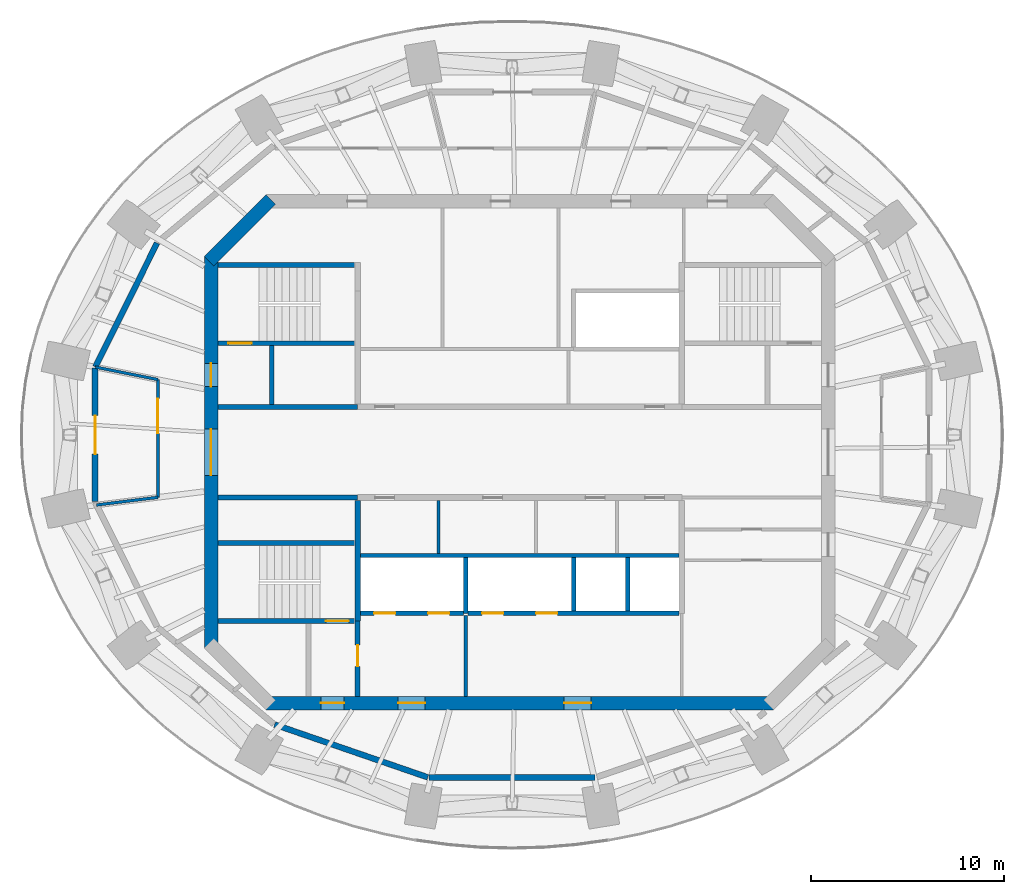
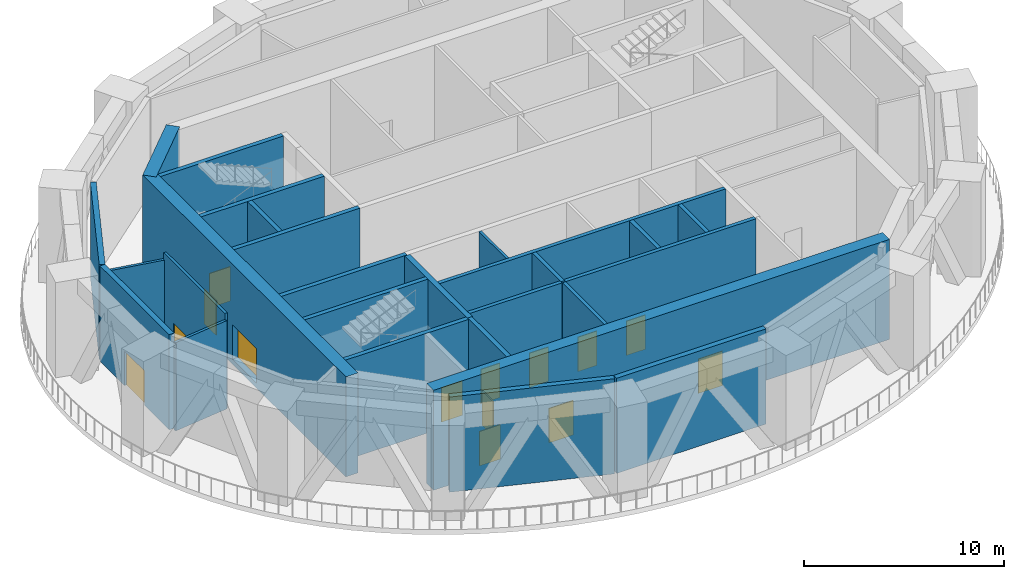
# One storey, part 4 of 9: 27 walls, 14 doors, 14 openings.
"""IFC4 building model written with IfcOpenShell, lengths in metres."""

import ifcopenshell
import ifcopenshell.guid

model = None  # the IFC model being written
_history = None  # IfcOwnerHistory: only IFC2X3 demands one
_inside = {}  # id of a spatial element -> (the spatial element, [elements in it])
_under = {}  # id of a project, library or spatial element -> (it, [spatial elements below it])
_declared = {}  # id of a project -> (the project, [libraries it declares])
_typed = {}  # id of a type object -> (the type object, [elements of that type])
_made_of = {}  # id of a material, layer set ... -> (it, [elements and type objects made of it])


def new_model(schema):
    """Start an empty IFC model of exactly this schema.

    Asked for "IFC4X3", IfcOpenShell would pick the latest addendum, in which some entities
    have other attributes; the version numbers below select the first issue.
    IFC2X3 requires an IfcOwnerHistory on every rooted entity: one is made here for all.
    """
    global model, _history
    if schema == "IFC4X3":
        model = ifcopenshell.file(schema_version=(4, 3, 0, 0))
    else:
        model = ifcopenshell.file(schema=schema)
    _inside.clear()
    _under.clear()
    _declared.clear()
    _typed.clear()
    _made_of.clear()
    _history = None
    if model.schema == "IFC2X3":
        org = make("IfcOrganization", Name="unknown")
        user = make(
            "IfcPersonAndOrganization",
            ThePerson=make("IfcPerson", FamilyName="unknown"),
            TheOrganization=org,
        )
        app = make(
            "IfcApplication",
            ApplicationDeveloper=org,
            Version="unknown",
            ApplicationFullName="unknown",
            ApplicationIdentifier="unknown",
        )
        _history = make(
            "IfcOwnerHistory",
            OwningUser=user,
            OwningApplication=app,
            ChangeAction="ADDED",
            CreationDate=0,
        )
    return model


def make(cls, **values):
    """One entity of the class cls with the attributes given. An attribute that is None is left unset."""
    return model.create_entity(
        cls, **{name: value for name, value in values.items() if value is not None}
    )


def rooted(cls, **values):
    """An entity with a GlobalId (a new one), such as an element, a storey or a relation."""
    return make(cls, GlobalId=ifcopenshell.guid.new(), OwnerHistory=_history, **values)


def si_unit(unit_type, name, prefix=None):
    """IfcSIUnit, for example si_unit("LENGTHUNIT", "METRE", prefix="MILLI")."""
    return make("IfcSIUnit", UnitType=unit_type, Prefix=prefix, Name=name)


def assignment(units):
    """IfcUnitAssignment: the units of a project."""
    return None if units is None else make("IfcUnitAssignment", Units=units)


def point(xyz):
    """IfcCartesianPoint."""
    return None if xyz is None else make("IfcCartesianPoint", Coordinates=xyz)


def direction(xyz):
    """IfcDirection."""
    return None if xyz is None else make("IfcDirection", DirectionRatios=xyz)


def frame(location, z_axis=None, x_axis=None):
    """IfcAxis2Placement3D, a coordinate frame: its origin and axes. An axis left out is left unset."""
    return make(
        "IfcAxis2Placement3D",
        Location=point(location),
        Axis=direction(z_axis),
        RefDirection=direction(x_axis),
    )


def frame_2d(location, x_axis=None):
    """IfcAxis2Placement2D, a coordinate frame in the plane: its origin and x axis."""
    return make(
        "IfcAxis2Placement2D", Location=point(location), RefDirection=direction(x_axis)
    )


def origin():
    """The frame at (0, 0, 0) with its axes left unset."""
    return frame((0.0, 0.0, 0.0))


def place(relative_to, where):
    """IfcLocalPlacement: puts the frame where relative to a parent placement (None: the world)."""
    return make(
        "IfcLocalPlacement", PlacementRelTo=relative_to, RelativePlacement=where
    )


def context(
    kind, dimensions, precision=None, world=None, true_north=None, identifier=None
):
    """IfcGeometricRepresentationContext, for example the 3D "Model" context."""
    return make(
        "IfcGeometricRepresentationContext",
        ContextIdentifier=identifier,
        ContextType=kind,
        CoordinateSpaceDimension=dimensions,
        Precision=precision,
        WorldCoordinateSystem=world,
        TrueNorth=true_north,
    )


def subcontext(parent, identifier, kind, view, scale=None):
    """IfcGeometricRepresentationSubContext, for example "Body" below "Model"."""
    return make(
        "IfcGeometricRepresentationSubContext",
        ContextIdentifier=identifier,
        ContextType=kind,
        ParentContext=parent,
        TargetScale=scale,
        TargetView=view,
    )


def project(units=None, contexts=None):
    """IfcProject with its units and contexts."""
    return rooted(
        "IfcProject",
        Name="project",
        RepresentationContexts=contexts,
        UnitsInContext=assignment(units),
    )


def spatial(cls, under=None, at=None, **own):
    """A site, building, storey or space (cls), placed at a placement, below another one or the project."""
    s = rooted(cls, ObjectPlacement=at, **own)
    if under is not None:
        _under.setdefault(under.id(), (under, []))[1].append(s)
    return s


def profile(cls, at=None, kind="AREA", **sizes):
    """A parametric profile (cls). Its sizes go by their IFC names, for example OverallWidth=200.0."""
    return make(cls, ProfileType=kind, Position=at, **sizes)


def rectangle(**sizes):
    """IfcRectangleProfileDef."""
    return profile("IfcRectangleProfileDef", **sizes)


def extrude(swept, where, along, depth):
    """IfcExtrudedAreaSolid: the profile swept, set in the frame where, extruded along a direction by depth."""
    return make(
        "IfcExtrudedAreaSolid",
        SweptArea=swept,
        Position=where,
        ExtrudedDirection=direction(along),
        Depth=depth,
    )


def shape(context_of_items, identifier, shape_type, items):
    """IfcShapeRepresentation: the items that make up one representation, for example the "Body"."""
    return make(
        "IfcShapeRepresentation",
        ContextOfItems=context_of_items,
        RepresentationIdentifier=identifier,
        RepresentationType=shape_type,
        Items=items,
    )


def material(Name=None, Category=None):
    """IfcMaterial."""
    return make("IfcMaterial", Name=Name, Category=Category)


def layer(
    of_material, thickness, ventilated=None, Name=None, Category=None, Priority=None
):
    """IfcMaterialLayer: one layer of a wall or slab, of a material (None: an air gap)."""
    return make(
        "IfcMaterialLayer",
        Material=of_material,
        LayerThickness=thickness,
        IsVentilated=ventilated,
        Name=Name,
        Category=Category,
        Priority=Priority,
    )


def layer_set(layers, Name=None):
    """IfcMaterialLayerSet."""
    return make("IfcMaterialLayerSet", MaterialLayers=layers, LayerSetName=Name)


def made_of(thing, what):
    """Note that an element or type object is made of a material, layer set ...; save() writes the relation."""
    if what is not None:
        _made_of.setdefault(what.id(), (what, []))[1].append(thing)
    return thing


def type_object(cls, material=None, **own):
    """A type object (cls), such as IfcWallType, which elements share."""
    return made_of(rooted(cls, **own), material)


def element(
    cls,
    number,
    at=None,
    inside=None,
    cuts=None,
    type_object=None,
    material=None,
    context=None,
    identifier="Body",
    shape_type=None,
    held_by="IfcProductDefinitionShape",
    body=None,
    shapes=None,
    **own,
):
    """One element of the class cls, such as IfcWall. Its Tag is "e" and its number.

    at: its placement. inside: the storey or other place that contains it. cuts: it is an
    opening in that element (IfcRelVoidsElement). A single representation is given by context,
    identifier, shape_type and body (its items); several are given by shapes. held_by: the class
    of the entity that holds the representations. save() writes the other relations.
    """
    e = rooted(cls, Tag="e%d" % number, ObjectPlacement=at, **own)
    if body is not None:
        shapes = [shape(context, identifier, shape_type, body)]
    if shapes is not None:
        e.Representation = make(held_by, Representations=shapes)
    if inside is not None:
        _inside.setdefault(inside.id(), (inside, []))[1].append(e)
    if cuts is not None:
        rooted(
            "IfcRelVoidsElement", RelatingBuildingElement=cuts, RelatedOpeningElement=e
        )
    if type_object is not None:
        _typed.setdefault(type_object.id(), (type_object, []))[1].append(e)
    return made_of(e, material)


def fill(opening, filler):
    """IfcRelFillsElement: the door or window that sits in an opening."""
    return rooted(
        "IfcRelFillsElement",
        RelatingOpeningElement=opening,
        RelatedBuildingElement=filler,
    )


def aggregate(whole, parts):
    """IfcRelAggregates: a whole, such as a stair, and the parts it consists of."""
    return rooted("IfcRelAggregates", RelatingObject=whole, RelatedObjects=parts)


def save(model, path):
    """Write the relations noted so far, then the file.

    IfcRelAggregates (storeys below a building ...), IfcRelContainedInSpatialStructure (elements
    in a storey), IfcRelDefinesByType, IfcRelAssociatesMaterial and IfcRelDeclares: one each for
    every whole, place, type object, material and project.
    """
    for whole, parts in _under.values():
        aggregate(whole, parts)
    for where, things in _inside.values():
        rooted(
            "IfcRelContainedInSpatialStructure",
            RelatedElements=things,
            RelatingStructure=where,
        )
    for kind, things in _typed.values():
        rooted("IfcRelDefinesByType", RelatedObjects=things, RelatingType=kind)
    for what, things in _made_of.values():
        rooted("IfcRelAssociatesMaterial", RelatedObjects=things, RelatingMaterial=what)
    for by, libraries in _declared.values():
        rooted("IfcRelDeclares", RelatingContext=by, RelatedDefinitions=libraries)
    model.write(path)


model = new_model("IFC4")

# Units and contexts
model_context = context("Model", 3, precision=1e-05, world=origin(), true_north=direction((0.0, 1.0)))
body_context = subcontext(model_context, "Body", "Model", "MODEL_VIEW")
ifc_project = project(units=[si_unit("LENGTHUNIT", "METRE"), si_unit("AREAUNIT", "SQUARE_METRE"), si_unit("VOLUMEUNIT", "CUBIC_METRE"), si_unit("PLANEANGLEUNIT", "RADIAN"), si_unit("MASSUNIT", "GRAM", prefix="KILO")], contexts=[model_context])

# Site, building, storey
site_placement = place(None, origin())
site = spatial("IfcSite", under=ifc_project, at=site_placement, CompositionType="ELEMENT")
building_placement = place(site_placement, origin())
building = spatial("IfcBuilding", under=site, at=building_placement, Name="Marenthal Gate Tower", CompositionType="ELEMENT")
storey_placement = place(building_placement, frame((0.0, 0.0, 407.550048828125)))
storey = spatial("IfcBuildingStorey", under=building, at=storey_placement, Name="L92", CompositionType="ELEMENT", Elevation=407.550048828125)

# Wall
ifc_material_1 = material(Name="Concrete 60 MPa", Category="concrete")
ifc_layer_1 = layer(ifc_material_1, 0.699951171875)
ifc_layer_set_1 = layer_set([ifc_layer_1], Name="Core shear wall 700")
wall_type_1 = type_object("IfcWallType", Name="Core shear wall 700", PredefinedType="SHEAR", material=ifc_layer_set_1)
wall_1_placement = place(storey_placement, frame((-12.8974609375, 13.1025390625, -0.300048828125), z_axis=(0.0, 0.0, 1.0), x_axis=(-0.707106781187, -0.707106781187, 0.0)))
element("IfcWall", 1, at=wall_1_placement, inside=storey, type_object=wall_type_1, Name="Core wall 05", PredefinedType="SHEAR", context=body_context, shape_type="SweptSolid", body=[
    extrude(rectangle(XDim=4.53271484375, YDim=0.699951171875, at=frame_2d((2.266357421875, 0.0))), origin(), (0.0, 0.0, 1.0), 6.10009765625),
])

# Wall, openings, doors
wall_2_placement = place(storey_placement, frame((-16.0, 10.14501953125, -0.300048828125), z_axis=(0.0, 0.0, 1.0), x_axis=(0.0, -1.0, 0.0)))
wall_2 = element("IfcWall", 2, at=wall_2_placement, inside=storey, type_object=wall_type_1, Name="Core wall 06", PredefinedType="SHEAR", context=body_context, shape_type="SweptSolid", body=[
    extrude(rectangle(XDim=20.2900390625, YDim=0.699951171875, at=frame_2d((10.14501953125, 0.0))), origin(), (0.0, 0.0, 1.0), 6.10009765625),
])
opening_1_placement = place(wall_2_placement, frame((8.945068359375, 0.0, 0.300048828125)))
opening_1 = element("IfcOpeningElement", 3, at=opening_1_placement, cuts=wall_2, Name="Opening D003.01", PredefinedType="OPENING", context=body_context, shape_type="SweptSolid", body=[
    extrude(rectangle(XDim=2.39990234375, YDim=2.10009765625, at=frame_2d((1.199951171875, 1.050048828125))), frame((0.0, 0.35986328125, 0.0), z_axis=(0.0, -1.0, 0.0), x_axis=(1.0, 0.0, 0.0)), (0.0, 0.0, 1.0), 0.719970703125),
])
opening_2_placement = place(wall_2_placement, frame((5.544921875, 0.0, 0.300048828125)))
opening_2 = element("IfcOpeningElement", 4, at=opening_2_placement, cuts=wall_2, Name="Opening D001.04", PredefinedType="OPENING", context=body_context, shape_type="SweptSolid", body=[
    extrude(rectangle(XDim=1.199951171875, YDim=2.10009765625, at=frame_2d((0.60009765625, 1.050048828125))), frame((0.0, 0.35986328125, 0.0), z_axis=(0.0, -1.0, 0.0), x_axis=(1.0, 0.0, 0.0)), (0.0, 0.0, 1.0), 0.719970703125),
])
ifc_material_2 = material(Name="Steel fire door", Category="steel")
door_type_1 = type_object("IfcDoorType", Name="Double fire door FD 45 2400 x 2100", OperationType="DOUBLE_DOOR_SINGLE_SWING", PredefinedType="DOOR", material=ifc_material_2)
door_1_placement = place(opening_1_placement, origin())
door_1 = element("IfcDoor", 5, at=door_1_placement, inside=storey, type_object=door_type_1, Name="Door D003.01", OperationType="DOUBLE_DOOR_SINGLE_SWING", OverallHeight=2.10009765625, OverallWidth=2.39990234375, PredefinedType="DOOR", context=body_context, shape_type="SweptSolid", body=[
    extrude(rectangle(XDim=2.39990234375, YDim=2.10009765625, at=frame_2d((1.199951171875, 1.050048828125))), frame((0.0, 0.02490234375, 0.0), z_axis=(0.0, -1.0, 0.0), x_axis=(1.0, 0.0, 0.0)), (0.0, 0.0, 1.0), 0.050048828125),
])
fill(opening_1, door_1)
ifc_material_3 = material(Name="Steel fire door", Category="steel")
door_type_2 = type_object("IfcDoorType", Name="Fire door FD 90 1200 x 2100", OperationType="NOTDEFINED", PredefinedType="DOOR", material=ifc_material_3)
door_2_placement = place(opening_2_placement, origin())
door_2 = element("IfcDoor", 6, at=door_2_placement, inside=storey, type_object=door_type_2, Name="Door D001.04", OperationType="SINGLE_SWING_RIGHT", OverallHeight=2.10009765625, OverallWidth=1.199951171875, PredefinedType="DOOR", context=body_context, shape_type="SweptSolid", body=[
    extrude(rectangle(XDim=1.199951171875, YDim=2.10009765625, at=frame_2d((0.60009765625, 1.050048828125))), frame((0.0, 0.02490234375, 0.0), z_axis=(0.0, -1.0, 0.0), x_axis=(1.0, 0.0, 0.0)), (0.0, 0.0, 1.0), 0.050048828125),
])
fill(opening_2, door_2)

wall_3_placement = place(storey_placement, frame((-13.14501953125, -13.0, -0.300048828125), z_axis=(0.0, 0.0, 1.0), x_axis=(1.0, 0.0, 0.0)))
wall_3 = element("IfcWall", 7, at=wall_3_placement, inside=storey, type_object=wall_type_1, Name="Core wall 08", PredefinedType="SHEAR", context=body_context, shape_type="SweptSolid", body=[
    extrude(rectangle(XDim=26.2900390625, YDim=0.699951171875, at=frame_2d((13.14501953125, 0.0))), origin(), (0.0, 0.0, 1.0), 6.10009765625),
])
opening_3_placement = place(wall_3_placement, frame((2.844970703125, 0.0, 0.300048828125)))
opening_3 = element("IfcOpeningElement", 8, at=opening_3_placement, cuts=wall_3, Name="Opening D001.06", PredefinedType="OPENING", context=body_context, shape_type="SweptSolid", body=[
    extrude(rectangle(XDim=1.199951171875, YDim=2.10009765625, at=frame_2d((0.60009765625, 1.050048828125))), frame((0.0, 0.35986328125, 0.0), z_axis=(0.0, -1.0, 0.0), x_axis=(1.0, 0.0, 0.0)), (0.0, 0.0, 1.0), 0.719970703125),
])
opening_4_placement = place(wall_3_placement, frame((6.844970703125, 0.0, 0.300048828125)))
opening_4 = element("IfcOpeningElement", 9, at=opening_4_placement, cuts=wall_3, Name="Opening D004.01", PredefinedType="OPENING", context=body_context, shape_type="SweptSolid", body=[
    extrude(rectangle(XDim=1.39990234375, YDim=2.10009765625, at=frame_2d((0.699951171875, 1.050048828125))), frame((0.0, 0.35986328125, 0.0), z_axis=(0.0, -1.0, 0.0), x_axis=(1.0, 0.0, 0.0)), (0.0, 0.0, 1.0), 0.719970703125),
])
opening_5_placement = place(wall_3_placement, frame((15.445068359375, 0.0, 0.300048828125)))
opening_5 = element("IfcOpeningElement", 10, at=opening_5_placement, cuts=wall_3, Name="Opening D004.02", PredefinedType="OPENING", context=body_context, shape_type="SweptSolid", body=[
    extrude(rectangle(XDim=1.39990234375, YDim=2.10009765625, at=frame_2d((0.699951171875, 1.050048828125))), frame((0.0, 0.35986328125, 0.0), z_axis=(0.0, -1.0, 0.0), x_axis=(1.0, 0.0, 0.0)), (0.0, 0.0, 1.0), 0.719970703125),
])
ifc_material_4 = material(Name="Steel fire door", Category="steel")
door_type_3 = type_object("IfcDoorType", Name="Fire door FD 45 1400 x 2100", OperationType="NOTDEFINED", PredefinedType="DOOR", material=ifc_material_4)
door_3_placement = place(opening_4_placement, origin())
door_3 = element("IfcDoor", 11, at=door_3_placement, inside=storey, type_object=door_type_3, Name="Door D004.01", OperationType="SINGLE_SWING_RIGHT", OverallHeight=2.10009765625, OverallWidth=1.39990234375, PredefinedType="DOOR", context=body_context, shape_type="SweptSolid", body=[
    extrude(rectangle(XDim=1.39990234375, YDim=2.10009765625, at=frame_2d((0.699951171875, 1.050048828125))), frame((0.0, 0.02490234375, 0.0), z_axis=(0.0, -1.0, 0.0), x_axis=(1.0, 0.0, 0.0)), (0.0, 0.0, 1.0), 0.050048828125),
])
fill(opening_4, door_3)
door_4_placement = place(opening_5_placement, origin())
door_4 = element("IfcDoor", 12, at=door_4_placement, inside=storey, type_object=door_type_3, Name="Door D004.02", OperationType="SINGLE_SWING_RIGHT", OverallHeight=2.10009765625, OverallWidth=1.39990234375, PredefinedType="DOOR", context=body_context, shape_type="SweptSolid", body=[
    extrude(rectangle(XDim=1.39990234375, YDim=2.10009765625, at=frame_2d((0.699951171875, 1.050048828125))), frame((0.0, 0.02490234375, 0.0), z_axis=(0.0, -1.0, 0.0), x_axis=(1.0, 0.0, 0.0)), (0.0, 0.0, 1.0), 0.050048828125),
])
fill(opening_5, door_4)
door_5_placement = place(opening_3_placement, origin())
door_5 = element("IfcDoor", 13, at=door_5_placement, inside=storey, type_object=door_type_2, Name="Door D001.06", OperationType="SINGLE_SWING_RIGHT", OverallHeight=2.10009765625, OverallWidth=1.199951171875, PredefinedType="DOOR", context=body_context, shape_type="SweptSolid", body=[
    extrude(rectangle(XDim=1.199951171875, YDim=2.10009765625, at=frame_2d((0.60009765625, 1.050048828125))), frame((0.0, 0.02490234375, 0.0), z_axis=(0.0, -1.0, 0.0), x_axis=(1.0, 0.0, 0.0)), (0.0, 0.0, 1.0), 0.050048828125),
])
fill(opening_3, door_5)

# Wall, opening, door
ifc_material_5 = material(Name="Concrete 40 MPa", Category="concrete")
ifc_layer_2 = layer(ifc_material_5, 0.300048828125)
ifc_layer_set_2 = layer_set([ifc_layer_2], Name="External wall 300")
wall_type_2 = type_object("IfcWallType", Name="External wall 300", PredefinedType="STANDARD", material=ifc_layer_set_2)
wall_4_placement = place(storey_placement, frame((-22.00927734375, -2.550537109375, 0.0), z_axis=(0.0, 0.0, 1.0), x_axis=(0.0, 1.0, 0.0)))
wall_4 = element("IfcWall", 14, at=wall_4_placement, inside=storey, type_object=wall_type_2, Name="External wall 57", PredefinedType="STANDARD", context=body_context, shape_type="SweptSolid", body=[
    extrude(rectangle(XDim=6.901123046875, YDim=0.300048828125, at=frame_2d((3.45068359375, 0.0))), origin(), (0.0, 0.0, 1.0), 5.800048828125),
])
opening_6_placement = place(wall_4_placement, frame((2.450439453125, 0.0, 0.0)))
opening_6 = element("IfcOpeningElement", 15, at=opening_6_placement, cuts=wall_4, Name="Opening D018.03", PredefinedType="OPENING", context=body_context, shape_type="SweptSolid", body=[
    extrude(rectangle(XDim=2.0, YDim=2.10009765625, at=frame_2d((1.0, 1.050048828125))), frame((0.0, 0.16015625, 0.0), z_axis=(0.0, -1.0, 0.0), x_axis=(1.0, 0.0, 0.0)), (0.0, 0.0, 1.0), 0.320068359375),
])
ifc_material_6 = material(Name="Steel fire door", Category="steel")
door_type_4 = type_object("IfcDoorType", Name="Double fire door FD 45 2000 x 2100", OperationType="DOUBLE_DOOR_SINGLE_SWING", PredefinedType="DOOR", material=ifc_material_6)
door_6_placement = place(opening_6_placement, origin())
door_6 = element("IfcDoor", 16, at=door_6_placement, inside=storey, type_object=door_type_4, Name="Door D018.03", OperationType="DOUBLE_DOOR_SINGLE_SWING", OverallHeight=2.10009765625, OverallWidth=2.0, PredefinedType="DOOR", context=body_context, shape_type="SweptSolid", body=[
    extrude(rectangle(XDim=2.0, YDim=2.10009765625, at=frame_2d((1.0, 1.050048828125))), frame((0.0, 0.02490234375, 0.0), z_axis=(0.0, -1.0, 0.0), x_axis=(1.0, 0.0, 0.0)), (0.0, 0.0, 1.0), 0.050048828125),
])
fill(opening_6, door_6)

# Walls
wall_5_placement = place(storey_placement, frame((-4.714111328125, -16.861572265625, 0.0), z_axis=(0.0, 0.0, 1.0), x_axis=(1.0, 0.0, 0.0)))
element("IfcWall", 17, at=wall_5_placement, inside=storey, type_object=wall_type_2, Name="External wall 59", PredefinedType="STANDARD", context=body_context, shape_type="SweptSolid", body=[
    extrude(rectangle(XDim=8.628173828125, YDim=0.300048828125, at=frame_2d((4.31396484375, 0.0))), origin(), (0.0, 0.0, 1.0), 5.800048828125),
])
wall_6_placement = place(storey_placement, frame((-21.993408203125, 4.41748046875, 0.0), z_axis=(0.0, 0.0, 1.0), x_axis=(0.445648754576, 0.895207901856, 0.0)))
element("IfcWall", 18, at=wall_6_placement, inside=storey, type_object=wall_type_2, Name="External wall 65", PredefinedType="STANDARD", context=body_context, shape_type="SweptSolid", body=[
    extrude(rectangle(XDim=7.179931640625, YDim=0.300048828125, at=frame_2d((3.58984375, 0.0))), origin(), (0.0, 0.0, 1.0), 5.800048828125),
])
wall_7_placement = place(storey_placement, frame((-4.762939453125, -16.853515625, 0.0), z_axis=(0.0, 0.0, 1.0), x_axis=(-0.945415916935, 0.325866144309, 0.0)))
element("IfcWall", 19, at=wall_7_placement, inside=storey, type_object=wall_type_2, Name="External wall 72", PredefinedType="STANDARD", context=body_context, shape_type="SweptSolid", body=[
    extrude(rectangle(XDim=8.39794921875, YDim=0.300048828125, at=frame_2d((4.198974609375, 0.0))), origin(), (0.0, 0.0, 1.0), 5.800048828125),
])
ifc_material_7 = material(Name="Gypsum board on steel studs", Category="steel")
ifc_layer_3 = layer(ifc_material_7, 0.199951171875)
ifc_layer_set_3 = layer_set([ifc_layer_3], Name="Fire lobby wall 200")
wall_type_3 = type_object("IfcWallType", Name="Fire lobby wall 200", PredefinedType="PARTITIONING", material=ifc_layer_set_3)
wall_8_placement = place(storey_placement, frame((-2.800048828125, -12.64990234375, 0.0), z_axis=(0.0, 0.0, 1.0), x_axis=(0.0, 1.0, 0.0)))
element("IfcWall", 20, at=wall_8_placement, inside=storey, type_object=wall_type_3, Name="Fire wall 37", PredefinedType="PARTITIONING", context=body_context, shape_type="SweptSolid", body=[
    extrude(rectangle(XDim=4.18994140625, YDim=0.199951171875, at=frame_2d((2.094970703125, 0.0))), origin(), (0.0, 0.0, 1.0), 5.800048828125),
])
ifc_material_8 = material(Name="Concrete 50 MPa", Category="concrete")
ifc_layer_4 = layer(ifc_material_8, 0.300048828125)
ifc_layer_set_4 = layer_set([ifc_layer_4], Name="Hoistway shear wall 300")
wall_type_4 = type_object("IfcWallType", Name="Hoistway shear wall 300", PredefinedType="SHEAR", material=ifc_layer_set_4)
wall_9_placement = place(storey_placement, frame((-8.39990234375, -8.75, -0.300048828125), z_axis=(0.0, 0.0, 1.0), x_axis=(0.0, 1.0, 0.0)))
element("IfcWall", 21, at=wall_9_placement, inside=storey, type_object=wall_type_4, Name="Hoistway wall 32", PredefinedType="SHEAR", context=body_context, shape_type="SweptSolid", body=[
    extrude(rectangle(XDim=6.25, YDim=0.300048828125, at=frame_2d((3.125, 0.0))), origin(), (0.0, 0.0, 1.0), 6.10009765625),
])

# Wall, openings, doors
ifc_material_9 = material(Name="Concrete 40 MPa", Category="concrete")
ifc_layer_5 = layer(ifc_material_9, 0.219970703125)
ifc_layer_set_5 = layer_set([ifc_layer_5], Name="Hoistway wall 220")
wall_type_5 = type_object("IfcWallType", Name="Hoistway wall 220", PredefinedType="STANDARD", material=ifc_layer_set_5)
wall_10_placement = place(storey_placement, frame((-8.25, -8.35009765625, 0.0), z_axis=(0.0, 0.0, 1.0), x_axis=(1.0, 0.0, 0.0)))
wall_10 = element("IfcWall", 22, at=wall_10_placement, inside=storey, type_object=wall_type_5, Name="Hoistway wall 10", PredefinedType="STANDARD", context=body_context, shape_type="SweptSolid", body=[
    extrude(rectangle(XDim=5.340087890625, YDim=0.219970703125, at=frame_2d((2.669921875, 0.0))), origin(), (0.0, 0.0, 1.0), 5.800048828125),
])
opening_7_placement = place(wall_10_placement, frame((0.699951171875, 0.0, 0.0)))
opening_7 = element("IfcOpeningElement", 23, at=opening_7_placement, cuts=wall_10, Name="Opening LD-LF1", PredefinedType="OPENING", context=body_context, shape_type="SweptSolid", body=[
    extrude(rectangle(XDim=1.10009765625, YDim=2.10009765625, at=frame_2d((0.550048828125, 1.050048828125))), frame((0.0, 0.1201171875, 0.0), z_axis=(0.0, -1.0, 0.0), x_axis=(1.0, 0.0, 0.0)), (0.0, 0.0, 1.0), 0.239990234375),
])
opening_8_placement = place(wall_10_placement, frame((3.5, 0.0, 0.0)))
opening_8 = element("IfcOpeningElement", 24, at=opening_8_placement, cuts=wall_10, Name="Opening LD-LF2", PredefinedType="OPENING", context=body_context, shape_type="SweptSolid", body=[
    extrude(rectangle(XDim=1.10009765625, YDim=2.10009765625, at=frame_2d((0.550048828125, 1.050048828125))), frame((0.0, 0.1201171875, 0.0), z_axis=(0.0, -1.0, 0.0), x_axis=(1.0, 0.0, 0.0)), (0.0, 0.0, 1.0), 0.239990234375),
])
ifc_material_10 = material(Name="Stainless steel sliding door", Category="steel")
door_type_5 = type_object("IfcDoorType", Name="Lift landing door FD 90 1100 x 2100", OperationType="DOUBLE_DOOR_SLIDING", PredefinedType="DOOR", material=ifc_material_10)
door_7_placement = place(opening_7_placement, origin())
door_7 = element("IfcDoor", 25, at=door_7_placement, inside=storey, type_object=door_type_5, Name="Lift landing door LF1", OperationType="DOUBLE_DOOR_SLIDING", OverallHeight=2.10009765625, OverallWidth=1.10009765625, PredefinedType="DOOR", context=body_context, shape_type="SweptSolid", body=[
    extrude(rectangle(XDim=1.10009765625, YDim=2.10009765625, at=frame_2d((0.550048828125, 1.050048828125))), frame((0.0, 0.02490234375, 0.0), z_axis=(0.0, -1.0, 0.0), x_axis=(1.0, 0.0, 0.0)), (0.0, 0.0, 1.0), 0.050048828125),
])
fill(opening_7, door_7)
door_8_placement = place(opening_8_placement, origin())
door_8 = element("IfcDoor", 26, at=door_8_placement, inside=storey, type_object=door_type_5, Name="Lift landing door LF2", OperationType="DOUBLE_DOOR_SLIDING", OverallHeight=2.10009765625, OverallWidth=1.10009765625, PredefinedType="DOOR", context=body_context, shape_type="SweptSolid", body=[
    extrude(rectangle(XDim=1.10009765625, YDim=2.10009765625, at=frame_2d((0.550048828125, 1.050048828125))), frame((0.0, 0.02490234375, 0.0), z_axis=(0.0, -1.0, 0.0), x_axis=(1.0, 0.0, 0.0)), (0.0, 0.0, 1.0), 0.050048828125),
])
fill(opening_8, door_8)

wall_11_placement = place(storey_placement, frame((-2.68994140625, -8.35009765625, 0.0), z_axis=(0.0, 0.0, 1.0), x_axis=(1.0, 0.0, 0.0)))
wall_11 = element("IfcWall", 27, at=wall_11_placement, inside=storey, type_object=wall_type_5, Name="Hoistway wall 11", PredefinedType="STANDARD", context=body_context, shape_type="SweptSolid", body=[
    extrude(rectangle(XDim=10.93994140625, YDim=0.219970703125, at=frame_2d((5.469970703125, 0.0))), origin(), (0.0, 0.0, 1.0), 5.800048828125),
])
opening_9_placement = place(wall_11_placement, frame((0.739990234375, 0.0, 0.0)))
opening_9 = element("IfcOpeningElement", 28, at=opening_9_placement, cuts=wall_11, Name="Opening LD-SV1", PredefinedType="OPENING", context=body_context, shape_type="SweptSolid", body=[
    extrude(rectangle(XDim=1.10009765625, YDim=2.10009765625, at=frame_2d((0.550048828125, 1.050048828125))), frame((0.0, 0.1201171875, 0.0), z_axis=(0.0, -1.0, 0.0), x_axis=(1.0, 0.0, 0.0)), (0.0, 0.0, 1.0), 0.239990234375),
])
opening_10_placement = place(wall_11_placement, frame((3.5400390625, 0.0, 0.0)))
opening_10 = element("IfcOpeningElement", 29, at=opening_10_placement, cuts=wall_11, Name="Opening LD-SV2", PredefinedType="OPENING", context=body_context, shape_type="SweptSolid", body=[
    extrude(rectangle(XDim=1.10009765625, YDim=2.10009765625, at=frame_2d((0.550048828125, 1.050048828125))), frame((0.0, 0.1201171875, 0.0), z_axis=(0.0, -1.0, 0.0), x_axis=(1.0, 0.0, 0.0)), (0.0, 0.0, 1.0), 0.239990234375),
])
door_9_placement = place(opening_9_placement, origin())
door_9 = element("IfcDoor", 30, at=door_9_placement, inside=storey, type_object=door_type_5, Name="Lift landing door SV1", OperationType="DOUBLE_DOOR_SLIDING", OverallHeight=2.10009765625, OverallWidth=1.10009765625, PredefinedType="DOOR", context=body_context, shape_type="SweptSolid", body=[
    extrude(rectangle(XDim=1.10009765625, YDim=2.10009765625, at=frame_2d((0.550048828125, 1.050048828125))), frame((0.0, 0.02490234375, 0.0), z_axis=(0.0, -1.0, 0.0), x_axis=(1.0, 0.0, 0.0)), (0.0, 0.0, 1.0), 0.050048828125),
])
fill(opening_9, door_9)
door_10_placement = place(opening_10_placement, origin())
door_10 = element("IfcDoor", 31, at=door_10_placement, inside=storey, type_object=door_type_5, Name="Lift landing door SV2", OperationType="DOUBLE_DOOR_SLIDING", OverallHeight=2.10009765625, OverallWidth=1.10009765625, PredefinedType="DOOR", context=body_context, shape_type="SweptSolid", body=[
    extrude(rectangle(XDim=1.10009765625, YDim=2.10009765625, at=frame_2d((0.550048828125, 1.050048828125))), frame((0.0, 0.02490234375, 0.0), z_axis=(0.0, -1.0, 0.0), x_axis=(1.0, 0.0, 0.0)), (0.0, 0.0, 1.0), 0.050048828125),
])
fill(opening_10, door_10)

# Walls
wall_12_placement = place(storey_placement, frame((-8.25, -5.35009765625, 0.0), z_axis=(0.0, 0.0, 1.0), x_axis=(1.0, 0.0, 0.0)))
element("IfcWall", 32, at=wall_12_placement, inside=storey, type_object=wall_type_5, Name="Hoistway wall 13", PredefinedType="STANDARD", context=body_context, shape_type="SweptSolid", body=[
    extrude(rectangle(XDim=16.5, YDim=0.219970703125, at=frame_2d((8.25, 0.0))), origin(), (0.0, 0.0, 1.0), 5.800048828125),
])
wall_13_placement = place(storey_placement, frame((-2.800048828125, -8.35009765625, 0.0), z_axis=(0.0, 0.0, 1.0), x_axis=(0.0, 1.0, 0.0)))
element("IfcWall", 33, at=wall_13_placement, inside=storey, type_object=wall_type_5, Name="Hoistway wall 38", PredefinedType="STANDARD", context=body_context, shape_type="SweptSolid", body=[
    extrude(rectangle(XDim=2.89013671875, YDim=0.219970703125, at=frame_2d((1.445068359375, 0.0))), origin(), (0.0, 0.0, 1.0), 5.800048828125),
])
for number, where, z_axis, x_axis, name in (
    (34, (2.800048828125, -8.239990234375, 0.0), (0.0, 0.0, 1.0), (0.0, 1.0, 0.0), "Hoistway wall 42"),
    (35, (5.60009765625, -8.239990234375, 0.0), (0.0, 0.0, 1.0), (0.0, 1.0, 0.0), "Hoistway wall 45"),
):
    element("IfcWall", number, at=place(storey_placement, frame(where, z_axis=z_axis, x_axis=x_axis)), inside=storey, type_object=wall_type_5, Name=name, PredefinedType="STANDARD", context=body_context, shape_type="SweptSolid", body=[
        extrude(rectangle(XDim=2.780029296875, YDim=0.219970703125, at=frame_2d((1.39013671875, 0.0))), origin(), (0.0, 0.0, 1.0), 5.800048828125),
    ])
ifc_material_11 = material(Name="Gypsum board on steel studs", Category="steel")
ifc_layer_6 = layer(ifc_material_11, 0.14990234375)
ifc_layer_set_6 = layer_set([ifc_layer_6], Name="Partition 150")
wall_type_6 = type_object("IfcWallType", Name="Partition 150", PredefinedType="PARTITIONING", material=ifc_layer_set_6)
wall_14_placement = place(storey_placement, frame((-4.199951171875, -5.239990234375, 0.0), z_axis=(0.0, 0.0, 1.0), x_axis=(0.0, 1.0, 0.0)))
element("IfcWall", 36, at=wall_14_placement, inside=storey, type_object=wall_type_6, Name="Partition wall 35", PredefinedType="PARTITIONING", context=body_context, shape_type="SweptSolid", body=[
    extrude(rectangle(XDim=2.739990234375, YDim=0.14990234375, at=frame_2d((1.3701171875, 0.0))), origin(), (0.0, 0.0, 1.0), 5.800048828125),
])
wall_15_placement = place(storey_placement, frame((-21.933837890625, -2.737060546875, 0.0), z_axis=(0.0, 0.0, 1.0), x_axis=(0.992307114991, 0.123800603948, 0.0)))
element("IfcWall", 37, at=wall_15_placement, inside=storey, type_object=wall_type_6, Name="Partition wall 74", PredefinedType="PARTITIONING", context=body_context, shape_type="SweptSolid", body=[
    extrude(rectangle(XDim=3.20849609375, YDim=0.14990234375, at=frame_2d((1.604248046875, 0.0))), origin(), (0.0, 0.0, 1.0), 5.383056640625),
])

# Wall, opening, door
wall_16_placement = place(storey_placement, frame((-18.75, -2.33984375, 0.0), z_axis=(0.0, 0.0, 1.0), x_axis=(0.0, 1.0, 0.0)))
wall_16 = element("IfcWall", 38, at=wall_16_placement, inside=storey, type_object=wall_type_6, Name="Partition wall 78", PredefinedType="PARTITIONING", context=body_context, shape_type="SweptSolid", body=[
    extrude(rectangle(XDim=6.10107421875, YDim=0.14990234375, at=frame_2d((3.050537109375, 0.0))), origin(), (0.0, 0.0, 1.0), 5.800048828125),
])
opening_11_placement = place(wall_16_placement, frame((3.31787109375, 0.0, 0.0)))
opening_11 = element("IfcOpeningElement", 39, at=opening_11_placement, cuts=wall_16, Name="Opening D007.03", PredefinedType="OPENING", context=body_context, shape_type="SweptSolid", body=[
    extrude(rectangle(XDim=1.800048828125, YDim=2.10009765625, at=frame_2d((0.89990234375, 1.050048828125))), frame((0.0, 0.0849609375, 0.0), z_axis=(0.0, -1.0, 0.0), x_axis=(1.0, 0.0, 0.0)), (0.0, 0.0, 1.0), 0.169921875),
])
ifc_material_12 = material(Name="Steel fire door", Category="steel")
door_type_6 = type_object("IfcDoorType", Name="Double fire door FD 45 1800 x 2100", OperationType="DOUBLE_DOOR_SINGLE_SWING", PredefinedType="DOOR", material=ifc_material_12)
door_11_placement = place(opening_11_placement, origin())
door_11 = element("IfcDoor", 40, at=door_11_placement, inside=storey, type_object=door_type_6, Name="Door D007.03", OperationType="DOUBLE_DOOR_SINGLE_SWING", OverallHeight=2.10009765625, OverallWidth=1.800048828125, PredefinedType="DOOR", context=body_context, shape_type="SweptSolid", body=[
    extrude(rectangle(XDim=1.800048828125, YDim=2.10009765625, at=frame_2d((0.89990234375, 1.050048828125))), frame((0.0, 0.02490234375, 0.0), z_axis=(0.0, -1.0, 0.0), x_axis=(1.0, 0.0, 0.0)), (0.0, 0.0, 1.0), 0.050048828125),
])
fill(opening_11, door_11)

# Walls
wall_17_placement = place(storey_placement, frame((-18.75, 3.76123046875, 0.0), z_axis=(0.0, 0.0, 1.0), x_axis=(-0.980469907143, 0.196669166843, 0.0)))
element("IfcWall", 41, at=wall_17_placement, inside=storey, type_object=wall_type_6, Name="Partition wall 80", PredefinedType="PARTITIONING", context=body_context, shape_type="SweptSolid", body=[
    extrude(rectangle(XDim=3.310791015625, YDim=0.14990234375, at=frame_2d((1.6552734375, 0.0))), origin(), (0.0, 0.0, 1.0), 5.383056640625),
])
ifc_material_13 = material(Name="Concrete 40 MPa", Category="concrete")
ifc_layer_7 = layer(ifc_material_13, 0.25)
ifc_layer_set_7 = layer_set([ifc_layer_7], Name="Stair enclosure wall 250")
wall_type_7 = type_object("IfcWallType", Name="Stair enclosure wall 250", PredefinedType="STANDARD", material=ifc_layer_set_7)
for number, where, z_axis, x_axis, name in (
    (42, (-15.64990234375, -2.35009765625, 0.0), (0.0, 0.0, 1.0), (1.0, 0.0, 0.0), "Stair wall 16"),
    (43, (-15.64990234375, 2.35009765625, 0.0), (0.0, 0.0, 1.0), (1.0, 0.0, 0.0), "Stair wall 19"),
):
    element("IfcWall", number, at=place(storey_placement, frame(where, z_axis=z_axis, x_axis=x_axis)), inside=storey, type_object=wall_type_7, Name=name, PredefinedType="STANDARD", context=body_context, shape_type="SweptSolid", body=[
        extrude(rectangle(XDim=7.25, YDim=0.25, at=frame_2d((3.625, 0.0))), origin(), (0.0, 0.0, 1.0), 5.800048828125),
    ])
wall_18_placement = place(storey_placement, frame((-12.85009765625, 2.47509765625, 0.0), z_axis=(0.0, 0.0, 1.0), x_axis=(0.0, 1.0, 0.0)))
element("IfcWall", 44, at=wall_18_placement, inside=storey, type_object=wall_type_7, Name="Stair wall 29", PredefinedType="STANDARD", context=body_context, shape_type="SweptSolid", body=[
    extrude(rectangle(XDim=3.0498046875, YDim=0.25, at=frame_2d((1.52490234375, 0.0))), origin(), (0.0, 0.0, 1.0), 5.800048828125),
])

# Wall, opening, door
wall_19_placement = place(storey_placement, frame((-8.39990234375, -12.64990234375, 0.0), z_axis=(0.0, 0.0, 1.0), x_axis=(0.0, 1.0, 0.0)))
wall_19 = element("IfcWall", 45, at=wall_19_placement, inside=storey, type_object=wall_type_7, Name="Stair wall 31", PredefinedType="STANDARD", context=body_context, shape_type="SweptSolid", body=[
    extrude(rectangle(XDim=3.89990234375, YDim=0.25, at=frame_2d((1.949951171875, 0.0))), origin(), (0.0, 0.0, 1.0), 5.800048828125),
])
opening_12_placement = place(wall_19_placement, frame((1.550048828125, 0.0, 0.0)))
opening_12 = element("IfcOpeningElement", 46, at=opening_12_placement, cuts=wall_19, Name="Opening D002.01", PredefinedType="OPENING", context=body_context, shape_type="SweptSolid", body=[
    extrude(rectangle(XDim=1.10009765625, YDim=2.10009765625, at=frame_2d((0.550048828125, 1.050048828125))), frame((0.0, 0.135009765625, 0.0), z_axis=(0.0, -1.0, 0.0), x_axis=(1.0, 0.0, 0.0)), (0.0, 0.0, 1.0), 0.27001953125),
])
ifc_material_14 = material(Name="Steel fire door", Category="steel")
door_type_7 = type_object("IfcDoorType", Name="Fire door FD 90 1100 x 2100", OperationType="NOTDEFINED", PredefinedType="DOOR", material=ifc_material_14)
door_12_placement = place(opening_12_placement, origin())
door_12 = element("IfcDoor", 47, at=door_12_placement, inside=storey, type_object=door_type_7, Name="Door D002.01", OperationType="SINGLE_SWING_RIGHT", OverallHeight=2.10009765625, OverallWidth=1.10009765625, PredefinedType="DOOR", context=body_context, shape_type="SweptSolid", body=[
    extrude(rectangle(XDim=1.10009765625, YDim=2.10009765625, at=frame_2d((0.550048828125, 1.050048828125))), frame((0.0, 0.02490234375, 0.0), z_axis=(0.0, -1.0, 0.0), x_axis=(1.0, 0.0, 0.0)), (0.0, 0.0, 1.0), 0.050048828125),
])
fill(opening_12, door_12)

ifc_material_15 = material(Name="Concrete 50 MPa", Category="concrete")
ifc_layer_8 = layer(ifc_material_15, 0.25)
ifc_layer_set_8 = layer_set([ifc_layer_8], Name="Stair shear wall 250")
wall_type_8 = type_object("IfcWallType", Name="Stair shear wall 250", PredefinedType="SHEAR", material=ifc_layer_set_8)
wall_20_placement = place(storey_placement, frame((-15.64990234375, -8.75, -0.300048828125), z_axis=(0.0, 0.0, 1.0), x_axis=(1.0, 0.0, 0.0)))
wall_20 = element("IfcWall", 48, at=wall_20_placement, inside=storey, type_object=wall_type_8, Name="Stair wall 09", PredefinedType="SHEAR", context=body_context, shape_type="SweptSolid", body=[
    extrude(rectangle(XDim=7.099853515625, YDim=0.25, at=frame_2d((3.5498046875, 0.0))), origin(), (0.0, 0.0, 1.0), 6.10009765625),
])
opening_13_placement = place(wall_20_placement, frame((5.60009765625, 0.0, 0.300048828125)))
opening_13 = element("IfcOpeningElement", 49, at=opening_13_placement, cuts=wall_20, Name="Opening D001.03", PredefinedType="OPENING", context=body_context, shape_type="SweptSolid", body=[
    extrude(rectangle(XDim=1.199951171875, YDim=2.10009765625, at=frame_2d((0.60009765625, 1.050048828125))), frame((0.0, 0.135009765625, 0.0), z_axis=(0.0, -1.0, 0.0), x_axis=(1.0, 0.0, 0.0)), (0.0, 0.0, 1.0), 0.27001953125),
])
door_13_placement = place(opening_13_placement, origin())
door_13 = element("IfcDoor", 50, at=door_13_placement, inside=storey, type_object=door_type_2, Name="Door D001.03", OperationType="SINGLE_SWING_RIGHT", OverallHeight=2.10009765625, OverallWidth=1.199951171875, PredefinedType="DOOR", context=body_context, shape_type="SweptSolid", body=[
    extrude(rectangle(XDim=1.199951171875, YDim=2.10009765625, at=frame_2d((0.60009765625, 1.050048828125))), frame((0.0, 0.02490234375, 0.0), z_axis=(0.0, -1.0, 0.0), x_axis=(1.0, 0.0, 0.0)), (0.0, 0.0, 1.0), 0.050048828125),
])
fill(opening_13, door_13)

# Wall
wall_21_placement = place(storey_placement, frame((-15.64990234375, -4.699951171875, -0.300048828125), z_axis=(0.0, 0.0, 1.0), x_axis=(1.0, 0.0, 0.0)))
element("IfcWall", 51, at=wall_21_placement, inside=storey, type_object=wall_type_8, Name="Stair wall 14", PredefinedType="SHEAR", context=body_context, shape_type="SweptSolid", body=[
    extrude(rectangle(XDim=7.099853515625, YDim=0.25, at=frame_2d((3.5498046875, 0.0))), origin(), (0.0, 0.0, 1.0), 6.10009765625),
])

# Wall, opening, door
wall_22_placement = place(storey_placement, frame((-15.64990234375, 5.64990234375, -0.300048828125), z_axis=(0.0, 0.0, 1.0), x_axis=(1.0, 0.0, 0.0)))
wall_22 = element("IfcWall", 52, at=wall_22_placement, inside=storey, type_object=wall_type_8, Name="Stair wall 24", PredefinedType="SHEAR", context=body_context, shape_type="SweptSolid", body=[
    extrude(rectangle(XDim=7.099853515625, YDim=0.25, at=frame_2d((3.5498046875, 0.0))), origin(), (0.0, 0.0, 1.0), 6.10009765625),
])
opening_14_placement = place(wall_22_placement, frame((0.550048828125, 0.0, 0.300048828125)))
opening_14 = element("IfcOpeningElement", 53, at=opening_14_placement, cuts=wall_22, Name="Opening D001.01", PredefinedType="OPENING", context=body_context, shape_type="SweptSolid", body=[
    extrude(rectangle(XDim=1.199951171875, YDim=2.10009765625, at=frame_2d((0.60009765625, 1.050048828125))), frame((0.0, 0.135009765625, 0.0), z_axis=(0.0, -1.0, 0.0), x_axis=(1.0, 0.0, 0.0)), (0.0, 0.0, 1.0), 0.27001953125),
])
door_14_placement = place(opening_14_placement, origin())
door_14 = element("IfcDoor", 54, at=door_14_placement, inside=storey, type_object=door_type_2, Name="Door D001.01", OperationType="SINGLE_SWING_RIGHT", OverallHeight=2.10009765625, OverallWidth=1.199951171875, PredefinedType="DOOR", context=body_context, shape_type="SweptSolid", body=[
    extrude(rectangle(XDim=1.199951171875, YDim=2.10009765625, at=frame_2d((0.60009765625, 1.050048828125))), frame((0.0, 0.02490234375, 0.0), z_axis=(0.0, -1.0, 0.0), x_axis=(1.0, 0.0, 0.0)), (0.0, 0.0, 1.0), 0.050048828125),
])
fill(opening_14, door_14)

# Wall
wall_23_placement = place(storey_placement, frame((-15.64990234375, 9.699951171875, -0.300048828125), z_axis=(0.0, 0.0, 1.0), x_axis=(1.0, 0.0, 0.0)))
element("IfcWall", 55, at=wall_23_placement, inside=storey, type_object=wall_type_8, Name="Stair wall 27", PredefinedType="SHEAR", context=body_context, shape_type="SweptSolid", body=[
    extrude(rectangle(XDim=7.099853515625, YDim=0.25, at=frame_2d((3.5498046875, 0.0))), origin(), (0.0, 0.0, 1.0), 6.10009765625),
])

save(model, "model.ifc")
